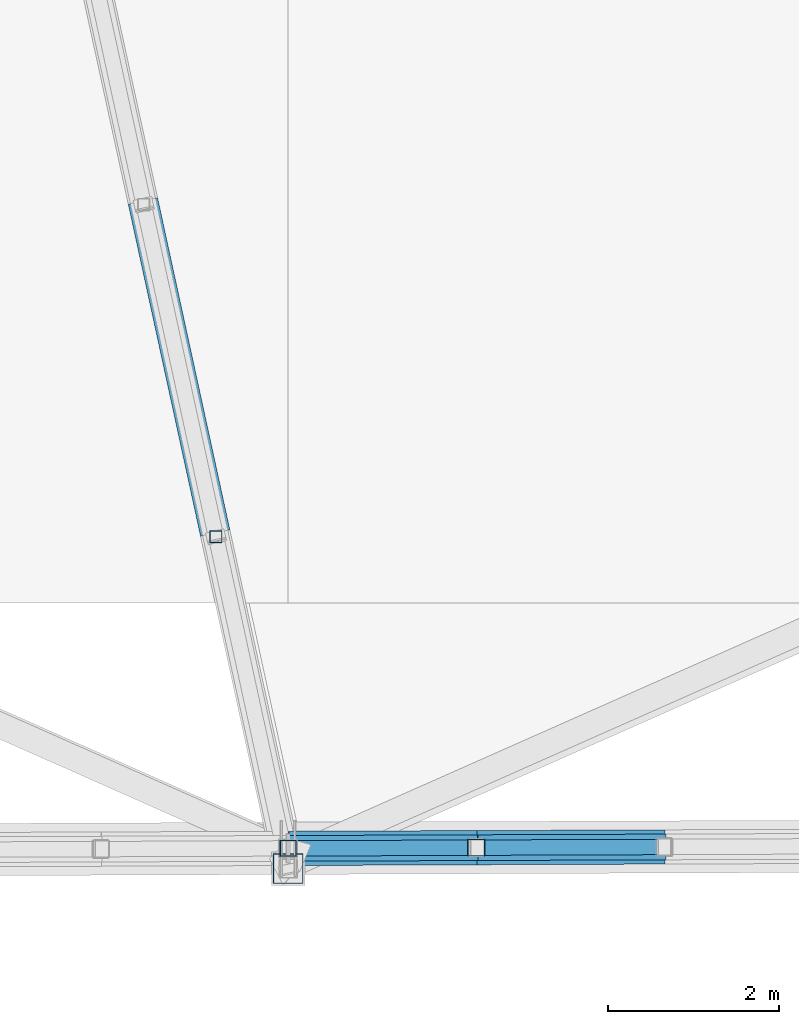
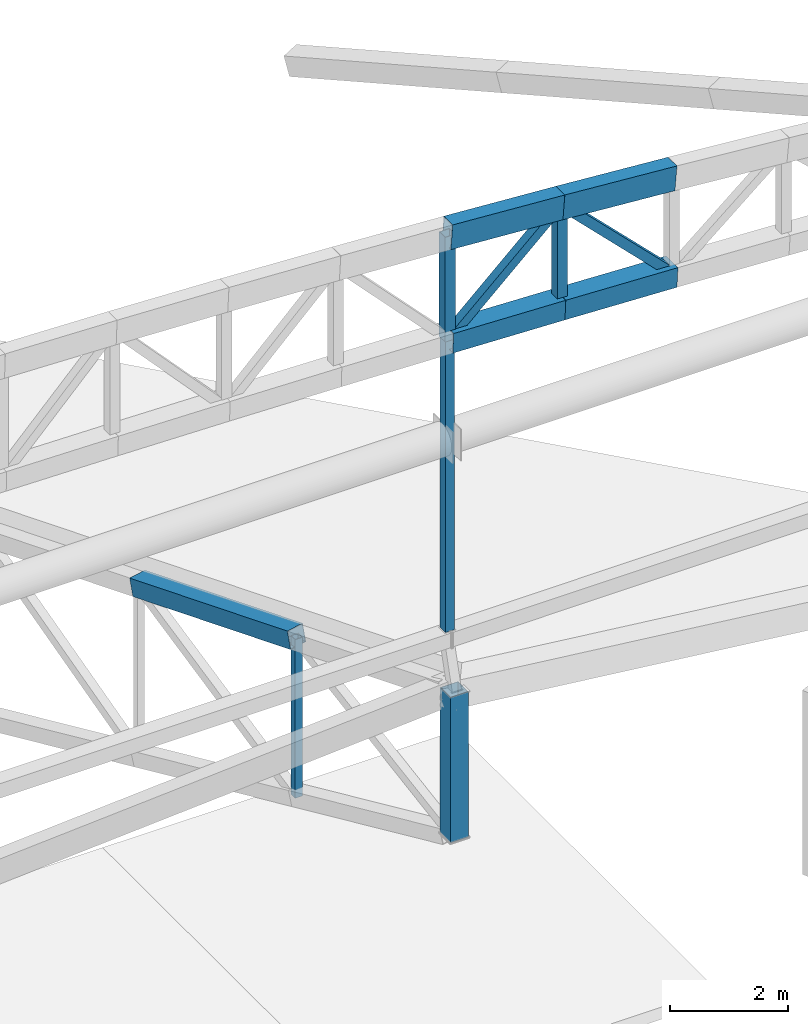
# One storey, part 28 of 188: 12 members.
"""IFC4 building model written with IfcOpenShell, lengths in metres."""

import ifcopenshell
import ifcopenshell.guid

model = None  # the IFC model being written
_history = None  # IfcOwnerHistory: only IFC2X3 demands one
_inside = {}  # id of a spatial element -> (the spatial element, [elements in it])
_under = {}  # id of a project, library or spatial element -> (it, [spatial elements below it])
_declared = {}  # id of a project -> (the project, [libraries it declares])
_typed = {}  # id of a type object -> (the type object, [elements of that type])
_made_of = {}  # id of a material, layer set ... -> (it, [elements and type objects made of it])


def new_model(schema):
    """Start an empty IFC model of exactly this schema.

    Asked for "IFC4X3", IfcOpenShell would pick the latest addendum, in which some entities
    have other attributes; the version numbers below select the first issue.
    IFC2X3 requires an IfcOwnerHistory on every rooted entity: one is made here for all.
    """
    global model, _history
    if schema == "IFC4X3":
        model = ifcopenshell.file(schema_version=(4, 3, 0, 0))
    else:
        model = ifcopenshell.file(schema=schema)
    _inside.clear()
    _under.clear()
    _declared.clear()
    _typed.clear()
    _made_of.clear()
    _history = None
    if model.schema == "IFC2X3":
        org = make("IfcOrganization", Name="unknown")
        user = make(
            "IfcPersonAndOrganization",
            ThePerson=make("IfcPerson", FamilyName="unknown"),
            TheOrganization=org,
        )
        app = make(
            "IfcApplication",
            ApplicationDeveloper=org,
            Version="unknown",
            ApplicationFullName="unknown",
            ApplicationIdentifier="unknown",
        )
        _history = make(
            "IfcOwnerHistory",
            OwningUser=user,
            OwningApplication=app,
            ChangeAction="ADDED",
            CreationDate=0,
        )
    return model


def make(cls, **values):
    """One entity of the class cls with the attributes given. An attribute that is None is left unset."""
    return model.create_entity(
        cls, **{name: value for name, value in values.items() if value is not None}
    )


def rooted(cls, **values):
    """An entity with a GlobalId (a new one), such as an element, a storey or a relation."""
    return make(cls, GlobalId=ifcopenshell.guid.new(), OwnerHistory=_history, **values)


def si_unit(unit_type, name, prefix=None):
    """IfcSIUnit, for example si_unit("LENGTHUNIT", "METRE", prefix="MILLI")."""
    return make("IfcSIUnit", UnitType=unit_type, Prefix=prefix, Name=name)


def assignment(units):
    """IfcUnitAssignment: the units of a project."""
    return None if units is None else make("IfcUnitAssignment", Units=units)


def point(xyz):
    """IfcCartesianPoint."""
    return None if xyz is None else make("IfcCartesianPoint", Coordinates=xyz)


def direction(xyz):
    """IfcDirection."""
    return None if xyz is None else make("IfcDirection", DirectionRatios=xyz)


def frame(location, z_axis=None, x_axis=None):
    """IfcAxis2Placement3D, a coordinate frame: its origin and axes. An axis left out is left unset."""
    return make(
        "IfcAxis2Placement3D",
        Location=point(location),
        Axis=direction(z_axis),
        RefDirection=direction(x_axis),
    )


def frame_2d(location, x_axis=None):
    """IfcAxis2Placement2D, a coordinate frame in the plane: its origin and x axis."""
    return make(
        "IfcAxis2Placement2D", Location=point(location), RefDirection=direction(x_axis)
    )


def origin():
    """The frame at (0, 0, 0) with its axes left unset."""
    return frame((0.0, 0.0, 0.0))


def origin_2d():
    """The frame at (0, 0) in the plane with its x axis left unset."""
    return frame_2d((0.0, 0.0))


def place(relative_to, where):
    """IfcLocalPlacement: puts the frame where relative to a parent placement (None: the world)."""
    return make(
        "IfcLocalPlacement", PlacementRelTo=relative_to, RelativePlacement=where
    )


def context(
    kind, dimensions, precision=None, world=None, true_north=None, identifier=None
):
    """IfcGeometricRepresentationContext, for example the 3D "Model" context."""
    return make(
        "IfcGeometricRepresentationContext",
        ContextIdentifier=identifier,
        ContextType=kind,
        CoordinateSpaceDimension=dimensions,
        Precision=precision,
        WorldCoordinateSystem=world,
        TrueNorth=true_north,
    )


def subcontext(parent, identifier, kind, view, scale=None):
    """IfcGeometricRepresentationSubContext, for example "Body" below "Model"."""
    return make(
        "IfcGeometricRepresentationSubContext",
        ContextIdentifier=identifier,
        ContextType=kind,
        ParentContext=parent,
        TargetScale=scale,
        TargetView=view,
    )


def project(units=None, contexts=None):
    """IfcProject with its units and contexts."""
    return rooted(
        "IfcProject",
        Name="project",
        RepresentationContexts=contexts,
        UnitsInContext=assignment(units),
    )


def spatial(cls, under=None, at=None, **own):
    """A site, building, storey or space (cls), placed at a placement, below another one or the project."""
    s = rooted(cls, ObjectPlacement=at, **own)
    if under is not None:
        _under.setdefault(under.id(), (under, []))[1].append(s)
    return s


def profile(cls, at=None, kind="AREA", **sizes):
    """A parametric profile (cls). Its sizes go by their IFC names, for example OverallWidth=200.0."""
    return make(cls, ProfileType=kind, Position=at, **sizes)


def hollow_rectangle(**sizes):
    """IfcRectangleHollowProfileDef."""
    return profile("IfcRectangleHollowProfileDef", **sizes)


def extrude(swept, where, along, depth):
    """IfcExtrudedAreaSolid: the profile swept, set in the frame where, extruded along a direction by depth."""
    return make(
        "IfcExtrudedAreaSolid",
        SweptArea=swept,
        Position=where,
        ExtrudedDirection=direction(along),
        Depth=depth,
    )


def shape(context_of_items, identifier, shape_type, items):
    """IfcShapeRepresentation: the items that make up one representation, for example the "Body"."""
    return make(
        "IfcShapeRepresentation",
        ContextOfItems=context_of_items,
        RepresentationIdentifier=identifier,
        RepresentationType=shape_type,
        Items=items,
    )


def material(Name=None, Category=None):
    """IfcMaterial."""
    return make("IfcMaterial", Name=Name, Category=Category)


def material_profile(
    of_material, cross_section, Name=None, Category=None, Priority=None
):
    """IfcMaterialProfile: a cross section and its material."""
    return make(
        "IfcMaterialProfile",
        Name=Name,
        Material=of_material,
        Profile=cross_section,
        Priority=Priority,
        Category=Category,
    )


def profile_set(profiles, Name=None, composite=None):
    """IfcMaterialProfileSet."""
    return make(
        "IfcMaterialProfileSet",
        Name=Name,
        MaterialProfiles=profiles,
        CompositeProfile=composite,
    )


def made_of(thing, what):
    """Note that an element or type object is made of a material, layer set ...; save() writes the relation."""
    if what is not None:
        _made_of.setdefault(what.id(), (what, []))[1].append(thing)
    return thing


def type_object(cls, material=None, **own):
    """A type object (cls), such as IfcWallType, which elements share."""
    return made_of(rooted(cls, **own), material)


def element(
    cls,
    number,
    at=None,
    inside=None,
    cuts=None,
    type_object=None,
    material=None,
    context=None,
    identifier="Body",
    shape_type=None,
    held_by="IfcProductDefinitionShape",
    body=None,
    shapes=None,
    **own,
):
    """One element of the class cls, such as IfcWall. Its Tag is "e" and its number.

    at: its placement. inside: the storey or other place that contains it. cuts: it is an
    opening in that element (IfcRelVoidsElement). A single representation is given by context,
    identifier, shape_type and body (its items); several are given by shapes. held_by: the class
    of the entity that holds the representations. save() writes the other relations.
    """
    e = rooted(cls, Tag="e%d" % number, ObjectPlacement=at, **own)
    if body is not None:
        shapes = [shape(context, identifier, shape_type, body)]
    if shapes is not None:
        e.Representation = make(held_by, Representations=shapes)
    if inside is not None:
        _inside.setdefault(inside.id(), (inside, []))[1].append(e)
    if cuts is not None:
        rooted(
            "IfcRelVoidsElement", RelatingBuildingElement=cuts, RelatedOpeningElement=e
        )
    if type_object is not None:
        _typed.setdefault(type_object.id(), (type_object, []))[1].append(e)
    return made_of(e, material)


def aggregate(whole, parts):
    """IfcRelAggregates: a whole, such as a stair, and the parts it consists of."""
    return rooted("IfcRelAggregates", RelatingObject=whole, RelatedObjects=parts)


def save(model, path):
    """Write the relations noted so far, then the file.

    IfcRelAggregates (storeys below a building ...), IfcRelContainedInSpatialStructure (elements
    in a storey), IfcRelDefinesByType, IfcRelAssociatesMaterial and IfcRelDeclares: one each for
    every whole, place, type object, material and project.
    """
    for whole, parts in _under.values():
        aggregate(whole, parts)
    for where, things in _inside.values():
        rooted(
            "IfcRelContainedInSpatialStructure",
            RelatedElements=things,
            RelatingStructure=where,
        )
    for kind, things in _typed.values():
        rooted("IfcRelDefinesByType", RelatedObjects=things, RelatingType=kind)
    for what, things in _made_of.values():
        rooted("IfcRelAssociatesMaterial", RelatedObjects=things, RelatingMaterial=what)
    for by, libraries in _declared.values():
        rooted("IfcRelDeclares", RelatingContext=by, RelatedDefinitions=libraries)
    model.write(path)


model = new_model("IFC4")

# Units and contexts
model_context = context("Model", 3, precision=1e-05, world=origin(), true_north=direction((0.0, 1.0)))
body_context = subcontext(model_context, "Body", "Model", "MODEL_VIEW")
ifc_project = project(units=[si_unit("LENGTHUNIT", "METRE"), si_unit("AREAUNIT", "SQUARE_METRE"), si_unit("VOLUMEUNIT", "CUBIC_METRE"), si_unit("PLANEANGLEUNIT", "RADIAN"), si_unit("MASSUNIT", "GRAM", prefix="KILO")], contexts=[model_context])

# Site, building, storey
site_placement = place(None, origin())
site = spatial("IfcSite", under=ifc_project, at=site_placement, CompositionType="ELEMENT")
building_placement = place(site_placement, origin())
building = spatial("IfcBuilding", under=site, at=building_placement, Name="Meseta Stadium", CompositionType="ELEMENT")
storey_placement = place(building_placement, frame((0.0, 0.0, 30.0)))
storey = spatial("IfcBuildingStorey", under=building, at=storey_placement, Name="ROOF", CompositionType="ELEMENT", Elevation=30.0)

# Members
ifc_material_1 = material(Name="Steel S355", Category="steel")
ifc_material_profile_1 = material_profile(ifc_material_1, hollow_rectangle(XDim=0.300048828125, YDim=0.5, WallThickness=0.01611328125, at=origin_2d()), Name="RHS 500x300x16")
ifc_profile_set_1 = profile_set([ifc_material_profile_1], Name="Steel S355")
member_type_1 = type_object("IfcMemberType", Name="RHS 500x300x16 arch top chord", PredefinedType="CHORD", material=ifc_profile_set_1)
member_1_placement = place(storey_placement, frame((22.9990234375, -105.1640625, 19.76513671875), z_axis=(0.99750608465, 0.003884369489, -0.07047356072), x_axis=(-0.003894051473, 0.999992418153, 0.0)))
element("IfcMember", 1, at=member_1_placement, inside=storey, type_object=member_type_1, Name="GABLE ARCH GA-S top chord", PredefinedType="CHORD", context=body_context, shape_type="SweptSolid", body=[
    extrude(hollow_rectangle(XDim=0.300048828125, YDim=0.5, WallThickness=0.01611328125, at=origin_2d()), origin(), (0.0, 0.0, 1.0), 2.19970703125),
])
member_2_placement = place(storey_placement, frame((25.193359375, -105.155517578125, 19.610107421875), z_axis=(0.996869263687, 0.003771398127, -0.078977513714), x_axis=(-0.003783215387, 0.999992843615, 0.0)))
element("IfcMember", 2, at=member_2_placement, inside=storey, type_object=member_type_1, Name="GABLE ARCH GA-S top chord", PredefinedType="CHORD", context=body_context, shape_type="SweptSolid", body=[
    extrude(hollow_rectangle(XDim=0.300048828125, YDim=0.5, WallThickness=0.01611328125, at=origin_2d()), origin(), (0.0, 0.0, 1.0), 2.200927734375),
])
ifc_material_2 = material(Name="Steel S355", Category="steel")
ifc_material_profile_2 = material_profile(ifc_material_2, hollow_rectangle(XDim=0.139892578125, YDim=0.139892578125, WallThickness=0.0048828125, at=origin_2d()), Name="SHS 140x140x5")
ifc_profile_set_2 = profile_set([ifc_material_profile_2], Name="Steel S355")
member_type_2 = type_object("IfcMemberType", Name="SHS 140x140x5 post", PredefinedType="POST", material=ifc_profile_set_2)
member_3_placement = place(storey_placement, frame((22.156982421875, -101.52587890625, 6.246826171875), z_axis=(0.0, 0.0, 1.0), x_axis=(1.0, 0.0, 0.0)))
element("IfcMember", 3, at=member_3_placement, inside=storey, type_object=member_type_2, Name="ROOF TRUSS RT-48 post", PredefinedType="POST", context=body_context, shape_type="SweptSolid", body=[
    extrude(hollow_rectangle(XDim=0.139892578125, YDim=0.139892578125, WallThickness=0.0048828125, at=origin_2d()), origin(), (0.0, 0.0, 1.0), 3.2763671875),
])
ifc_material_3 = material(Name="Steel S355", Category="steel")
ifc_material_profile_3 = material_profile(ifc_material_3, hollow_rectangle(XDim=0.179931640625, YDim=0.179931640625, WallThickness=0.00634765625, at=origin_2d()), Name="SHS 180x180x6.3")
ifc_profile_set_3 = profile_set([ifc_material_profile_3], Name="Steel S355")
member_type_3 = type_object("IfcMemberType", Name="SHS 180x180x6.3 arch diagonal", PredefinedType="BRACE", material=ifc_profile_set_3)
member_4_placement = place(storey_placement, frame((22.9990234375, -105.1640625, 17.605712890625), z_axis=(0.738336592355, 0.002875142494, 0.674426282069), x_axis=(-0.003894051473, 0.999992418153, 0.0)))
element("IfcMember", 4, at=member_4_placement, inside=storey, type_object=member_type_3, Name="GABLE ARCH GA-S diagonal", PredefinedType="BRACE", context=body_context, shape_type="SweptSolid", body=[
    extrude(hollow_rectangle(XDim=0.179931640625, YDim=0.179931640625, WallThickness=0.00634765625, at=origin_2d()), origin(), (0.0, 0.0, 1.0), 2.971923828125),
])
member_5_placement = place(storey_placement, frame((25.193359375, -105.155517578125, 19.610107421875), z_axis=(0.707694598724, 0.002677380256, -0.706513401552), x_axis=(-0.003783215387, 0.999992843615, 0.0)))
element("IfcMember", 5, at=member_5_placement, inside=storey, type_object=member_type_3, Name="GABLE ARCH GA-S diagonal", PredefinedType="BRACE", context=body_context, shape_type="SweptSolid", body=[
    extrude(hollow_rectangle(XDim=0.179931640625, YDim=0.179931640625, WallThickness=0.00634765625, at=origin_2d()), origin(), (0.0, 0.0, 1.0), 3.100341796875),
])
ifc_material_4 = material(Name="Steel S355", Category="steel")
ifc_material_profile_4 = material_profile(ifc_material_4, hollow_rectangle(XDim=0.179931640625, YDim=0.179931640625, WallThickness=0.00634765625, at=origin_2d()), Name="SHS 180x180x6.3")
ifc_profile_set_4 = profile_set([ifc_material_profile_4], Name="Steel S355")
member_type_4 = type_object("IfcMemberType", Name="SHS 180x180x6.3 hanger", PredefinedType="STRUT", material=ifc_profile_set_4)
member_6_placement = place(storey_placement, frame((22.9990234375, -105.1640625, 17.605712890625), z_axis=(0.0, 0.0, -1.0), x_axis=(1.0, 0.0, 0.0)))
element("IfcMember", 6, at=member_6_placement, inside=storey, type_object=member_type_4, Name="GABLE ARCH GA-S hanger RT-48", PredefinedType="STRUT", context=body_context, shape_type="SweptSolid", body=[
    extrude(hollow_rectangle(XDim=0.179931640625, YDim=0.179931640625, WallThickness=0.00634765625, at=origin_2d()), origin(), (0.0, 0.0, 1.0), 6.005615234375),
])
ifc_material_5 = material(Name="Steel S355", Category="steel")
ifc_material_profile_5 = material_profile(ifc_material_5, hollow_rectangle(XDim=0.199951171875, YDim=0.199951171875, WallThickness=0.008056640625, at=origin_2d()), Name="SHS 200x200x8")
ifc_profile_set_5 = profile_set([ifc_material_profile_5], Name="Steel S355")
member_type_5 = type_object("IfcMemberType", Name="SHS 200x200x8 arch vertical", PredefinedType="POST", material=ifc_profile_set_5)
member_7_placement = place(storey_placement, frame((22.9990234375, -105.1640625, 17.605712890625), z_axis=(0.0, 0.0, 1.0), x_axis=(1.0, 0.0, 0.0)))
element("IfcMember", 7, at=member_7_placement, inside=storey, type_object=member_type_5, Name="GABLE ARCH GA-S vertical", PredefinedType="POST", context=body_context, shape_type="SweptSolid", body=[
    extrude(hollow_rectangle(XDim=0.199951171875, YDim=0.199951171875, WallThickness=0.008056640625, at=origin_2d()), origin(), (0.0, 0.0, 1.0), 2.159423828125),
])
member_8_placement = place(storey_placement, frame((25.193359375, -105.155517578125, 17.518798828125), z_axis=(0.0, 0.0, 1.0), x_axis=(1.0, 0.0, 0.0)))
element("IfcMember", 8, at=member_8_placement, inside=storey, type_object=member_type_5, Name="GABLE ARCH GA-S vertical", PredefinedType="POST", context=body_context, shape_type="SweptSolid", body=[
    extrude(hollow_rectangle(XDim=0.199951171875, YDim=0.199951171875, WallThickness=0.008056640625, at=origin_2d()), origin(), (0.0, 0.0, 1.0), 2.09130859375),
])
ifc_material_6 = material(Name="Steel S355", Category="steel")
ifc_material_profile_6 = material_profile(ifc_material_6, hollow_rectangle(XDim=0.35009765625, YDim=0.35009765625, WallThickness=0.010009765625, at=origin_2d()), Name="SHS 350x350x10")
ifc_profile_set_6 = profile_set([ifc_material_profile_6], Name="Steel S355")
member_type_6 = type_object("IfcMemberType", Name="SHS 350x350x10 rim post", PredefinedType="POST", material=ifc_profile_set_6)
member_9_placement = place(storey_placement, frame((23.0, -105.39990234375, 7.481689453125), z_axis=(0.0, 0.0, 1.0), x_axis=(1.0, 0.0, 0.0)))
element("IfcMember", 9, at=member_9_placement, inside=storey, type_object=member_type_6, Name="ROOF TRUSS RT-48 post", PredefinedType="POST", context=body_context, shape_type="SweptSolid", body=[
    extrude(hollow_rectangle(XDim=0.35009765625, YDim=0.35009765625, WallThickness=0.010009765625, at=origin_2d()), origin(), (0.0, 0.0, 1.0), 3.0),
])
ifc_material_7 = material(Name="Steel S355", Category="steel")
ifc_material_profile_7 = material_profile(ifc_material_7, hollow_rectangle(XDim=0.35009765625, YDim=0.35009765625, WallThickness=0.010009765625, at=origin_2d()), Name="SHS 350x350x10")
ifc_profile_set_7 = profile_set([ifc_material_profile_7], Name="Steel S355")
member_type_7 = type_object("IfcMemberType", Name="SHS 350x350x10 top chord", PredefinedType="CHORD", material=ifc_profile_set_7)
member_10_placement = place(storey_placement, frame((21.313720703125, -97.65185546875, 8.564697265625), z_axis=(0.206734813898, -0.949759127657, 0.234985778622), x_axis=(0.977119641805, 0.212690398462, 0.0)))
element("IfcMember", 10, at=member_10_placement, inside=storey, type_object=member_type_7, Name="ROOF TRUSS RT-48 top chord", PredefinedType="CHORD", context=body_context, shape_type="SweptSolid", body=[
    extrude(hollow_rectangle(XDim=0.35009765625, YDim=0.35009765625, WallThickness=0.010009765625, at=origin_2d()), origin(), (0.0, 0.0, 1.0), 4.078857421875),
])
ifc_material_8 = material(Name="Steel S355", Category="steel")
ifc_material_profile_8 = material_profile(ifc_material_8, hollow_rectangle(XDim=0.39990234375, YDim=0.39990234375, WallThickness=0.01416015625, at=origin_2d()), Name="SHS 400x400x14.2")
ifc_profile_set_8 = profile_set([ifc_material_profile_8], Name="Steel S355")
member_type_8 = type_object("IfcMemberType", Name="SHS 400x400x14.2 arch bottom chord", PredefinedType="CHORD", material=ifc_profile_set_8)
member_11_placement = place(storey_placement, frame((22.9990234375, -105.1640625, 17.605712890625), z_axis=(0.99920894635, 0.00389100057, -0.039577034368), x_axis=(-0.003894051473, 0.999992418153, 0.0)))
element("IfcMember", 11, at=member_11_placement, inside=storey, type_object=member_type_8, Name="GABLE ARCH GA-S bottom chord", PredefinedType="CHORD", context=body_context, shape_type="SweptSolid", body=[
    extrude(hollow_rectangle(XDim=0.39990234375, YDim=0.39990234375, WallThickness=0.01416015625, at=origin_2d()), origin(), (0.0, 0.0, 1.0), 2.196044921875),
])
member_12_placement = place(storey_placement, frame((25.193359375, -105.155517578125, 17.518798828125), z_axis=(0.998973972783, 0.003779360752, -0.045130013681), x_axis=(-0.003783215387, 0.999992843615, 0.0)))
element("IfcMember", 12, at=member_12_placement, inside=storey, type_object=member_type_8, Name="GABLE ARCH GA-S bottom chord", PredefinedType="CHORD", context=body_context, shape_type="SweptSolid", body=[
    extrude(hollow_rectangle(XDim=0.39990234375, YDim=0.39990234375, WallThickness=0.01416015625, at=origin_2d()), origin(), (0.0, 0.0, 1.0), 2.1962890625),
])

save(model, "model.ifc")
